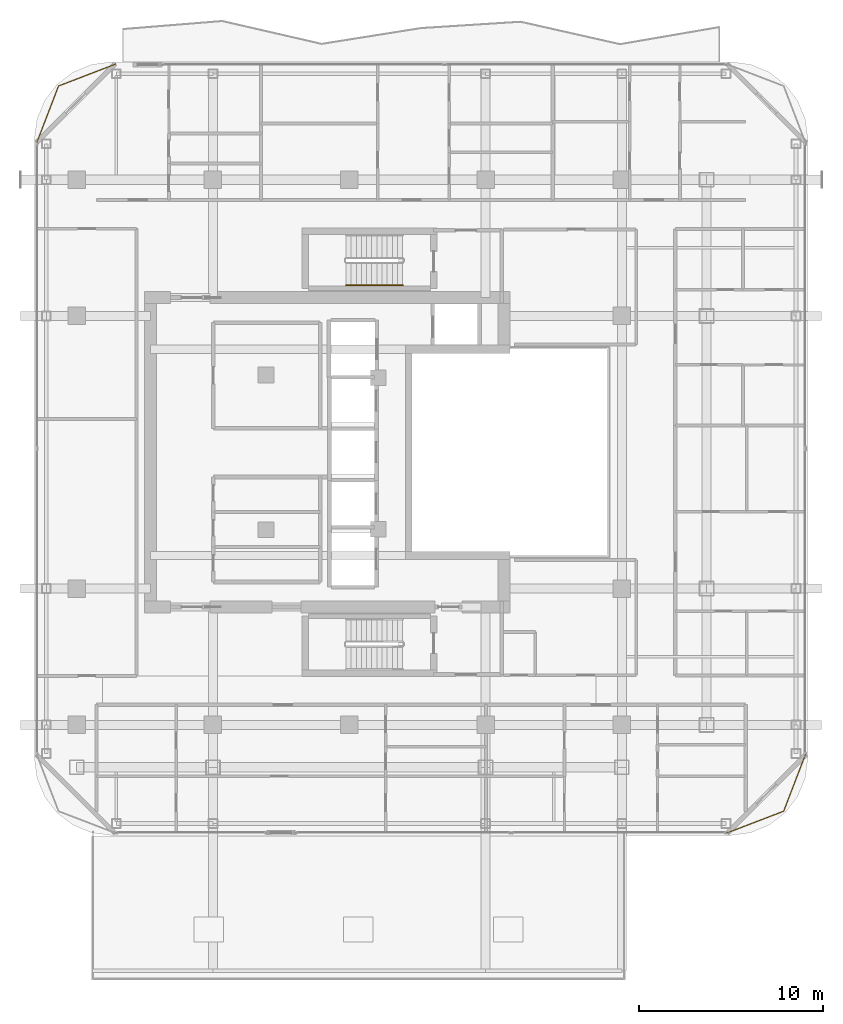
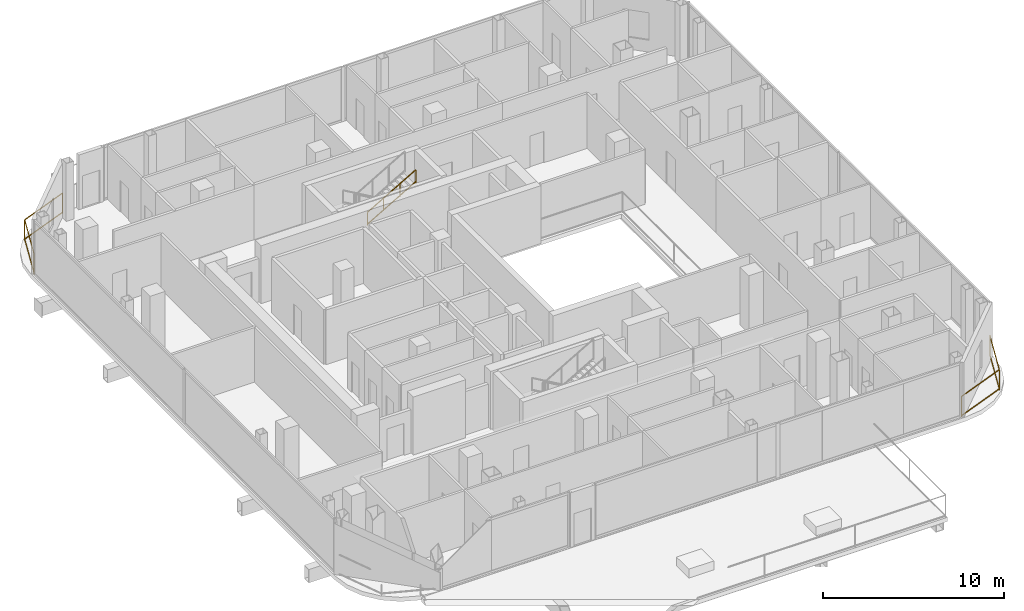
# One storey, part 24 of 25: 3 railings.
"""IFC4 building model written with IfcOpenShell, lengths in metres."""

from ifc_helpers import new_model, si_unit, direction, frame, origin, origin_2d, place, context, subcontext, project, spatial, rectangle, extrude, material, type_object, element, save


model = new_model("IFC4")

# Units and contexts
model_context = context("Model", 3, precision=1e-05, world=origin(), true_north=direction((0.0, 1.0)))
body_context = subcontext(model_context, "Body", "Model", "MODEL_VIEW")
ifc_project = project(units=[si_unit("LENGTHUNIT", "METRE"), si_unit("AREAUNIT", "SQUARE_METRE"), si_unit("VOLUMEUNIT", "CUBIC_METRE"), si_unit("PLANEANGLEUNIT", "RADIAN"), si_unit("MASSUNIT", "GRAM", prefix="KILO")], contexts=[model_context])

# Site, building, storey
site_placement = place(None, origin())
site = spatial("IfcSite", under=ifc_project, at=site_placement, CompositionType="ELEMENT")
building_placement = place(site_placement, origin())
building = spatial("IfcBuilding", under=site, at=building_placement, Name="Khorvyn Point Tower", CompositionType="ELEMENT")
storey_placement = place(building_placement, frame((0.0, 0.0, 254.699951171875)))
storey = spatial("IfcBuildingStorey", under=building, at=storey_placement, Name="L62", CompositionType="ELEMENT", Elevation=254.699951171875)

# Railings
ifc_material_1 = material(Name="Anodised aluminium 6063-T6 and laminated safety glass", Category="aluminium")
railing_type_1 = type_object("IfcRailingType", Name="Laminated Glass and Aluminium Balcony Guardrail 1400", PredefinedType="BALUSTRADE", material=ifc_material_1)
railing_1_placement = place(storey_placement, frame((-12.6865234375, 21.074462890625, 0.0)))
element("IfcRailing", 1, at=railing_1_placement, inside=storey, type_object=railing_type_1, Name="L62 Rounded Corner Edge Guardrail NW", PredefinedType="BALUSTRADE", context=body_context, shape_type="SweptSolid", body=[
    extrude(rectangle(XDim=0.048095703125, YDim=0.048095703125, at=origin_2d()), frame((0.0, 0.0, 1.3759765625), z_axis=(-0.93357103624, -0.358392411044, 0.0), x_axis=(0.358392411044, -0.93357103624, 0.0)), (0.0, 0.0, 1.0), 3.31884765625),
    extrude(rectangle(XDim=0.048095703125, YDim=0.048095703125, at=origin_2d()), frame((0.0, 0.0, 0.080078125), z_axis=(-0.93357103624, -0.358392411044, 0.0), x_axis=(0.358392411044, -0.93357103624, 0.0)), (0.0, 0.0, 1.0), 3.31884765625),
    extrude(rectangle(XDim=0.048095703125, YDim=0.048095703125, at=origin_2d()), frame((-3.098388671875, -1.189453125, 1.3759765625), z_axis=(-0.358392411044, -0.93357103624, 0.0), x_axis=(0.93357103624, -0.358392411044, 0.0)), (0.0, 0.0, 1.0), 3.31884765625),
    extrude(rectangle(XDim=0.048095703125, YDim=0.048095703125, at=origin_2d()), frame((-3.098388671875, -1.189453125, 0.080078125), z_axis=(-0.358392411044, -0.93357103624, 0.0), x_axis=(0.93357103624, -0.358392411044, 0.0)), (0.0, 0.0, 1.0), 3.31884765625),
    extrude(rectangle(XDim=0.0419921875, YDim=0.0419921875, at=origin_2d()), origin(), (0.0, 0.0, 1.0), 1.351806640625),
    extrude(rectangle(XDim=0.0419921875, YDim=0.0419921875, at=origin_2d()), frame((-3.098388671875, -1.189453125, 0.0)), (0.0, 0.0, 1.0), 1.351806640625),
    extrude(rectangle(XDim=0.0419921875, YDim=0.0419921875, at=origin_2d()), frame((-4.287841796875, -4.287841796875, 0.0)), (0.0, 0.0, 1.0), 1.351806640625),
])
railing_2_placement = place(storey_placement, frame((20.486572265625, -20.67431640625, 0.0)))
element("IfcRailing", 2, at=railing_2_placement, inside=storey, type_object=railing_type_1, Name="L62 Rounded Corner Edge Guardrail SE", PredefinedType="BALUSTRADE", context=body_context, shape_type="SweptSolid", body=[
    extrude(rectangle(XDim=0.048095703125, YDim=0.048095703125, at=origin_2d()), frame((0.0, 0.0, 1.3759765625), z_axis=(0.933595647299, 0.358328295484, 0.0), x_axis=(-0.358328295484, 0.933595647299, 0.0)), (0.0, 0.0, 1.0), 3.31884765625),
    extrude(rectangle(XDim=0.048095703125, YDim=0.048095703125, at=origin_2d()), frame((0.0, 0.0, 0.080078125), z_axis=(0.933595647299, 0.358328295484, 0.0), x_axis=(-0.358328295484, 0.933595647299, 0.0)), (0.0, 0.0, 1.0), 3.31884765625),
    extrude(rectangle(XDim=0.048095703125, YDim=0.048095703125, at=origin_2d()), frame((3.098388671875, 1.189208984375, 1.3759765625), z_axis=(0.358367799998, 0.933580483903, 0.0), x_axis=(-0.933580483903, 0.358367799998, 0.0)), (0.0, 0.0, 1.0), 3.319091796875),
    extrude(rectangle(XDim=0.048095703125, YDim=0.048095703125, at=origin_2d()), frame((3.098388671875, 1.189208984375, 0.080078125), z_axis=(0.358367799998, 0.933580483903, 0.0), x_axis=(-0.933580483903, 0.358367799998, 0.0)), (0.0, 0.0, 1.0), 3.319091796875),
    extrude(rectangle(XDim=0.0419921875, YDim=0.0419921875, at=origin_2d()), origin(), (0.0, 0.0, 1.0), 1.351806640625),
    extrude(rectangle(XDim=0.0419921875, YDim=0.0419921875, at=origin_2d()), frame((3.098388671875, 1.189208984375, 0.0)), (0.0, 0.0, 1.0), 1.351806640625),
    extrude(rectangle(XDim=0.0419921875, YDim=0.0419921875, at=origin_2d()), frame((4.287841796875, 4.287841796875, 0.0)), (0.0, 0.0, 1.0), 1.351806640625),
])
ifc_material_2 = material(Name="Stainless steel 1.4301", Category="steel")
railing_type_2 = type_object("IfcRailingType", Name="Stainless Steel 304 Stair Pitch Handrail 900", PredefinedType="HANDRAIL", material=ifc_material_2)
railing_3_placement = place(storey_placement, frame((-0.179931640625, 9.070068359375, 2.112548828125)))
element("IfcRailing", 3, at=railing_3_placement, inside=storey, type_object=railing_type_2, Name="L62 ST-02 stair handrail 2", PredefinedType="HANDRAIL", context=body_context, shape_type="SweptSolid", body=[
    extrude(rectangle(XDim=0.048095703125, YDim=0.048095703125, at=origin_2d()), frame((0.0, 0.0, 0.8759765625), z_axis=(0.864873446163, 0.0, 0.501989962173), x_axis=(0.0, 1.0, 0.0)), (0.0, 0.0, 1.0), 3.56103515625),
    extrude(rectangle(XDim=0.048095703125, YDim=0.048095703125, at=origin_2d()), frame((0.0, 0.0, 0.080078125), z_axis=(0.864873446163, 0.0, 0.501989962173), x_axis=(0.0, 1.0, 0.0)), (0.0, 0.0, 1.0), 3.56103515625),
    extrude(rectangle(XDim=0.0419921875, YDim=0.0419921875, at=origin_2d()), origin(), (0.0, 0.0, 1.0), 0.851806640625),
    extrude(rectangle(XDim=0.0419921875, YDim=0.0419921875, at=origin_2d()), frame((1.026611328125, 0.0, 0.595947265625)), (0.0, 0.0, 1.0), 0.851806640625),
    extrude(rectangle(XDim=0.0419921875, YDim=0.0419921875, at=origin_2d()), frame((2.05322265625, 0.0, 1.191650390625)), (0.0, 0.0, 1.0), 0.851806640625),
    extrude(rectangle(XDim=0.0419921875, YDim=0.0419921875, at=origin_2d()), frame((3.079833984375, 0.0, 1.78759765625)), (0.0, 0.0, 1.0), 0.851806640625),
])

save(model, "model.ifc")
